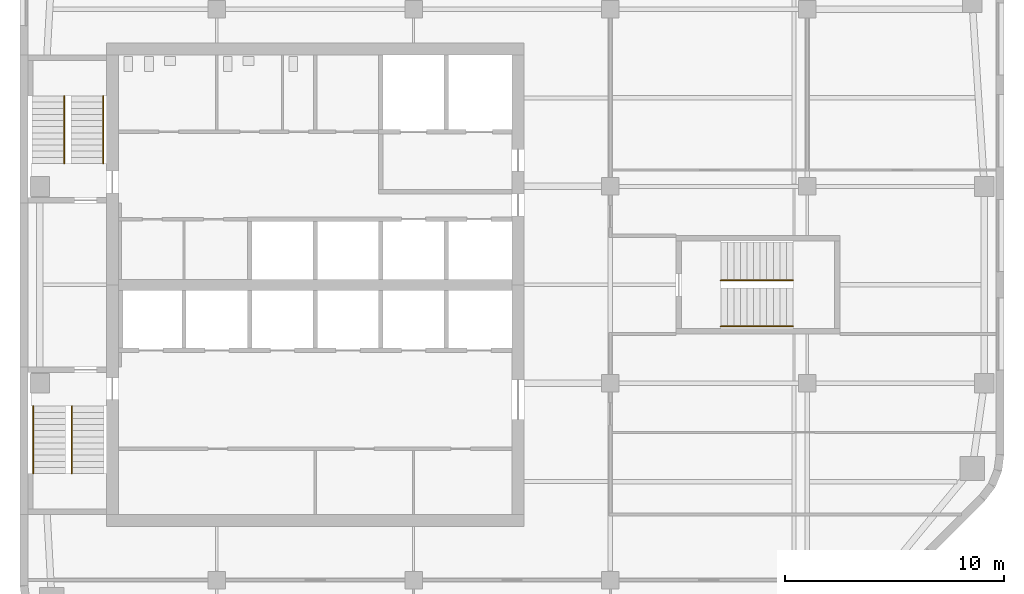
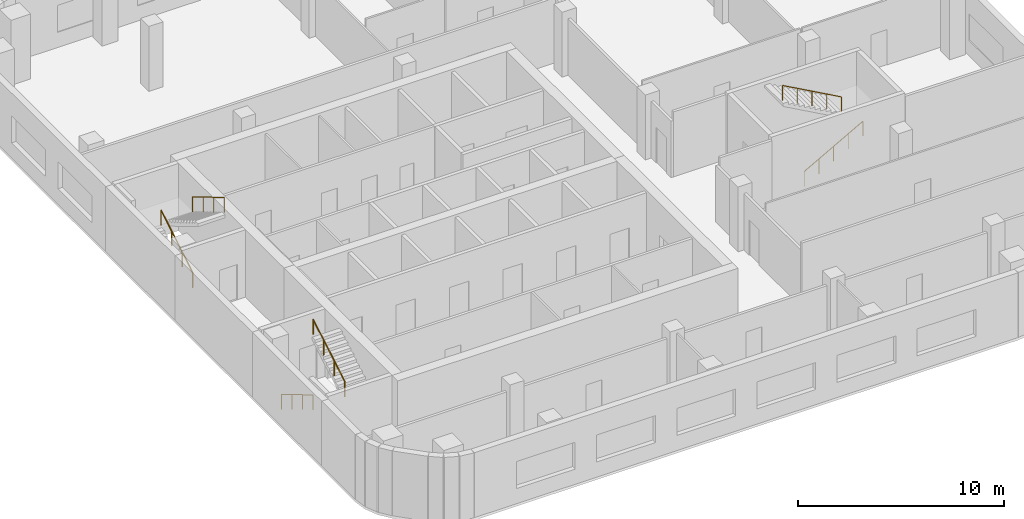
# One storey, part 7 of 8: 6 railings, 3 elements without a shape of their own.
"""IFC4 building model written with IfcOpenShell, lengths in metres."""

from ifc_helpers import new_model, si_unit, direction, frame, origin, origin_2d, place, context, subcontext, project, spatial, circle, extrude, material, type_object, element, aggregate, save


model = new_model("IFC4")

# Units and contexts
model_context = context("Model", 3, precision=1e-05, world=origin(), true_north=direction((0.0, 1.0)))
body_context = subcontext(model_context, "Body", "Model", "MODEL_VIEW")
ifc_project = project(units=[si_unit("LENGTHUNIT", "METRE"), si_unit("AREAUNIT", "SQUARE_METRE"), si_unit("VOLUMEUNIT", "CUBIC_METRE"), si_unit("PLANEANGLEUNIT", "RADIAN"), si_unit("MASSUNIT", "GRAM", prefix="KILO")], contexts=[model_context])

# Site, building, storey
site_placement = place(None, origin())
site = spatial("IfcSite", under=ifc_project, at=site_placement, CompositionType="ELEMENT")
building_placement = place(site_placement, origin())
building = spatial("IfcBuilding", under=site, at=building_placement, Name="Cinnabar Reach Civic Tower", CompositionType="ELEMENT")
storey_placement = place(building_placement, frame((0.0, 0.0, 206.0)))
storey = spatial("IfcBuildingStorey", under=building, at=storey_placement, Name="L49", CompositionType="ELEMENT", Elevation=206.0)

# Stair, railings
ifc_material_1 = material(Name="Concrete C40/50", Category="concrete")
stair_type = type_object("IfcStairType", Name="T1 Exit stair, half-turn", PredefinedType="HALF_TURN_STAIR", material=ifc_material_1)
stair_1_placement = place(storey_placement, origin())
stair_1 = element("IfcStair", 1, at=stair_1_placement, inside=storey, type_object=stair_type, Name="Stair T1-S1", PredefinedType="HALF_TURN_STAIR")
ifc_material_2 = material(Name="Stainless steel tube", Category="steel")
railing_type = type_object("IfcRailingType", Name="T1 Stair handrail, stainless tube 48", PredefinedType="HANDRAIL", material=ifc_material_2)
railing_1_placement = place(storey_placement, frame((0.6, 25.95, 0.1667)))
railing_1 = element("IfcRailing", 2, at=railing_1_placement, type_object=railing_type, Name="T1-S1 handrail 1", PredefinedType="HANDRAIL", context=body_context, shape_type="SweptSolid", body=[
    extrude(circle(Radius=0.024, at=origin_2d()), frame((0.0, 0.0, 0.876), z_axis=(0.0, -0.859296971757, 0.511476992962), x_axis=(1.0, 0.0, 0.0)), (0.0, 0.0, 1.0), 3.5843),
    extrude(circle(Radius=0.021, at=origin_2d()), origin(), (0.0, 0.0, 1.0), 0.852),
    extrude(circle(Radius=0.021, at=origin_2d()), frame((0.0, -1.0267, 0.6111)), (0.0, 0.0, 1.0), 0.852),
    extrude(circle(Radius=0.021, at=origin_2d()), frame((0.0, -2.0533, 1.2222)), (0.0, 0.0, 1.0), 0.852),
    extrude(circle(Radius=0.021, at=origin_2d()), frame((0.0, -3.08, 1.8333)), (0.0, 0.0, 1.0), 0.852),
])
railing_2_placement = place(storey_placement, frame((2.375, 22.87, 2.1667)))
railing_2 = element("IfcRailing", 3, at=railing_2_placement, type_object=railing_type, Name="T1-S1 handrail 2", PredefinedType="HANDRAIL", context=body_context, shape_type="SweptSolid", body=[
    extrude(circle(Radius=0.024, at=origin_2d()), frame((0.0, 0.0, 0.876), z_axis=(0.0, 0.859296971757, 0.511476992962), x_axis=(-1.0, 0.0, 0.0)), (0.0, 0.0, 1.0), 3.5843),
    extrude(circle(Radius=0.021, at=origin_2d()), origin(), (0.0, 0.0, 1.0), 0.852),
    extrude(circle(Radius=0.021, at=origin_2d()), frame((0.0, 1.0267, 0.6111)), (0.0, 0.0, 1.0), 0.852),
    extrude(circle(Radius=0.021, at=origin_2d()), frame((0.0, 2.0533, 1.2222)), (0.0, 0.0, 1.0), 0.852),
    extrude(circle(Radius=0.021, at=origin_2d()), frame((0.0, 3.08, 1.8333)), (0.0, 0.0, 1.0), 0.852),
])
aggregate(stair_1, [railing_1, railing_2])

stair_2_placement = place(storey_placement, origin())
stair_2 = element("IfcStair", 4, at=stair_2_placement, inside=storey, type_object=stair_type, Name="Stair T1-S2", PredefinedType="HALF_TURN_STAIR")
railing_3_placement = place(storey_placement, frame((2.025, 37.05, 0.1667)))
railing_3 = element("IfcRailing", 5, at=railing_3_placement, type_object=railing_type, Name="T1-S2 handrail 1", PredefinedType="HANDRAIL", context=body_context, shape_type="SweptSolid", body=[
    extrude(circle(Radius=0.024, at=origin_2d()), frame((0.0, 0.0, 0.876), z_axis=(0.0, 0.859296971757, 0.511476992962), x_axis=(-1.0, 0.0, 0.0)), (0.0, 0.0, 1.0), 3.5843),
    extrude(circle(Radius=0.021, at=origin_2d()), origin(), (0.0, 0.0, 1.0), 0.852),
    extrude(circle(Radius=0.021, at=origin_2d()), frame((0.0, 1.0267, 0.6111)), (0.0, 0.0, 1.0), 0.852),
    extrude(circle(Radius=0.021, at=origin_2d()), frame((0.0, 2.0533, 1.2222)), (0.0, 0.0, 1.0), 0.852),
    extrude(circle(Radius=0.021, at=origin_2d()), frame((0.0, 3.08, 1.8333)), (0.0, 0.0, 1.0), 0.852),
])
railing_4_placement = place(storey_placement, frame((3.8, 40.13, 2.1667)))
railing_4 = element("IfcRailing", 6, at=railing_4_placement, type_object=railing_type, Name="T1-S2 handrail 2", PredefinedType="HANDRAIL", context=body_context, shape_type="SweptSolid", body=[
    extrude(circle(Radius=0.024, at=origin_2d()), frame((0.0, 0.0, 0.876), z_axis=(0.0, -0.859296971757, 0.511476992962), x_axis=(1.0, 0.0, 0.0)), (0.0, 0.0, 1.0), 3.5843),
    extrude(circle(Radius=0.021, at=origin_2d()), origin(), (0.0, 0.0, 1.0), 0.852),
    extrude(circle(Radius=0.021, at=origin_2d()), frame((0.0, -1.0267, 0.6111)), (0.0, 0.0, 1.0), 0.852),
    extrude(circle(Radius=0.021, at=origin_2d()), frame((0.0, -2.0533, 1.2222)), (0.0, 0.0, 1.0), 0.852),
    extrude(circle(Radius=0.021, at=origin_2d()), frame((0.0, -3.08, 1.8333)), (0.0, 0.0, 1.0), 0.852),
])
aggregate(stair_2, [railing_3, railing_4])

stair_3_placement = place(storey_placement, origin())
stair_3 = element("IfcStair", 7, at=stair_3_placement, inside=storey, type_object=stair_type, Name="Stair T1-S3", PredefinedType="HALF_TURN_STAIR")
railing_5_placement = place(storey_placement, frame((32.05, 29.6, 0.1667)))
railing_5 = element("IfcRailing", 8, at=railing_5_placement, type_object=railing_type, Name="T1-S3 handrail 1", PredefinedType="HANDRAIL", context=body_context, shape_type="SweptSolid", body=[
    extrude(circle(Radius=0.024, at=origin_2d()), frame((0.0, 0.0, 0.876), z_axis=(0.874161024642, 0.0, 0.485636183781), x_axis=(0.0, 1.0, 0.0)), (0.0, 0.0, 1.0), 3.775),
    extrude(circle(Radius=0.021, at=origin_2d()), origin(), (0.0, 0.0, 1.0), 0.852),
    extrude(circle(Radius=0.021, at=origin_2d()), frame((0.825, 0.0, 0.4583)), (0.0, 0.0, 1.0), 0.852),
    extrude(circle(Radius=0.021, at=origin_2d()), frame((1.65, 0.0, 0.9167)), (0.0, 0.0, 1.0), 0.852),
    extrude(circle(Radius=0.021, at=origin_2d()), frame((2.475, 0.0, 1.375)), (0.0, 0.0, 1.0), 0.852),
    extrude(circle(Radius=0.021, at=origin_2d()), frame((3.3, 0.0, 1.8333)), (0.0, 0.0, 1.0), 0.852),
])
railing_6_placement = place(storey_placement, frame((35.35, 31.7, 2.1667)))
railing_6 = element("IfcRailing", 9, at=railing_6_placement, type_object=railing_type, Name="T1-S3 handrail 2", PredefinedType="HANDRAIL", context=body_context, shape_type="SweptSolid", body=[
    extrude(circle(Radius=0.024, at=origin_2d()), frame((0.0, 0.0, 0.876), z_axis=(-0.874161024642, 0.0, 0.485636183781), x_axis=(0.0, -1.0, 0.0)), (0.0, 0.0, 1.0), 3.775),
    extrude(circle(Radius=0.021, at=origin_2d()), origin(), (0.0, 0.0, 1.0), 0.852),
    extrude(circle(Radius=0.021, at=origin_2d()), frame((-0.825, 0.0, 0.4583)), (0.0, 0.0, 1.0), 0.852),
    extrude(circle(Radius=0.021, at=origin_2d()), frame((-1.65, 0.0, 0.9167)), (0.0, 0.0, 1.0), 0.852),
    extrude(circle(Radius=0.021, at=origin_2d()), frame((-2.475, 0.0, 1.375)), (0.0, 0.0, 1.0), 0.852),
    extrude(circle(Radius=0.021, at=origin_2d()), frame((-3.3, 0.0, 1.8333)), (0.0, 0.0, 1.0), 0.852),
])
aggregate(stair_3, [railing_5, railing_6])

save(model, "model.ifc")
